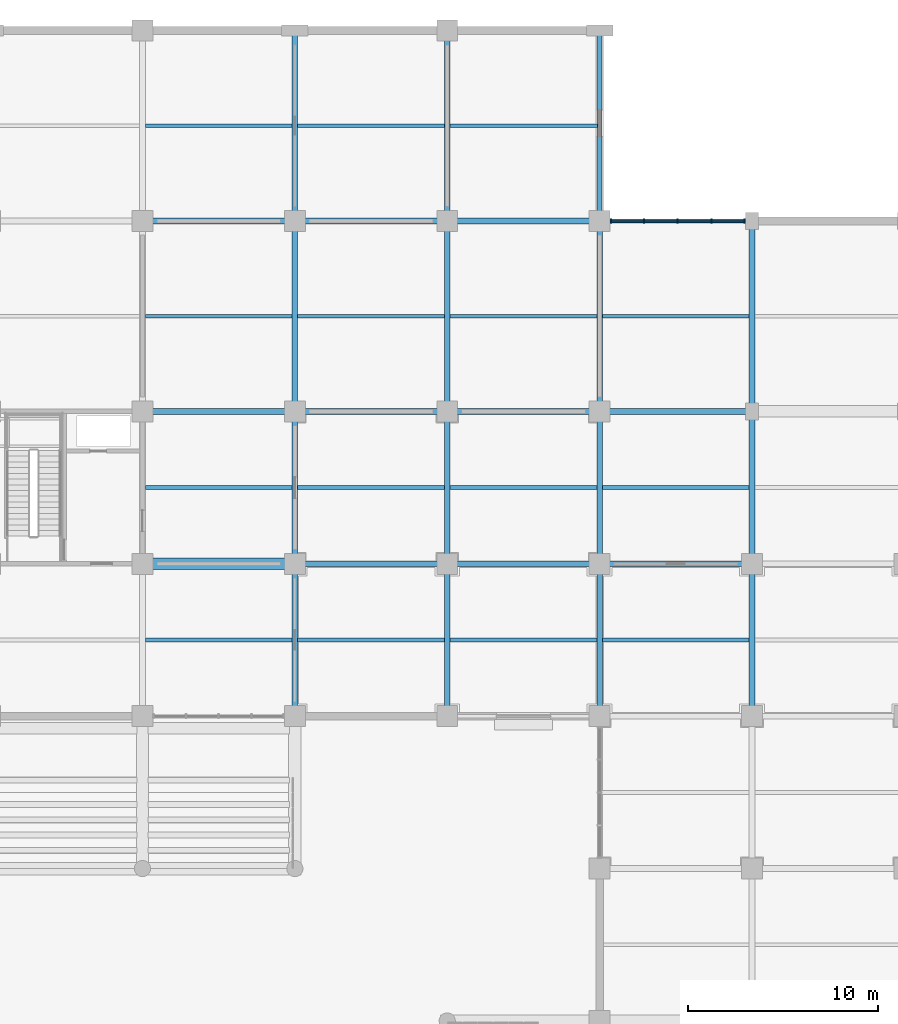
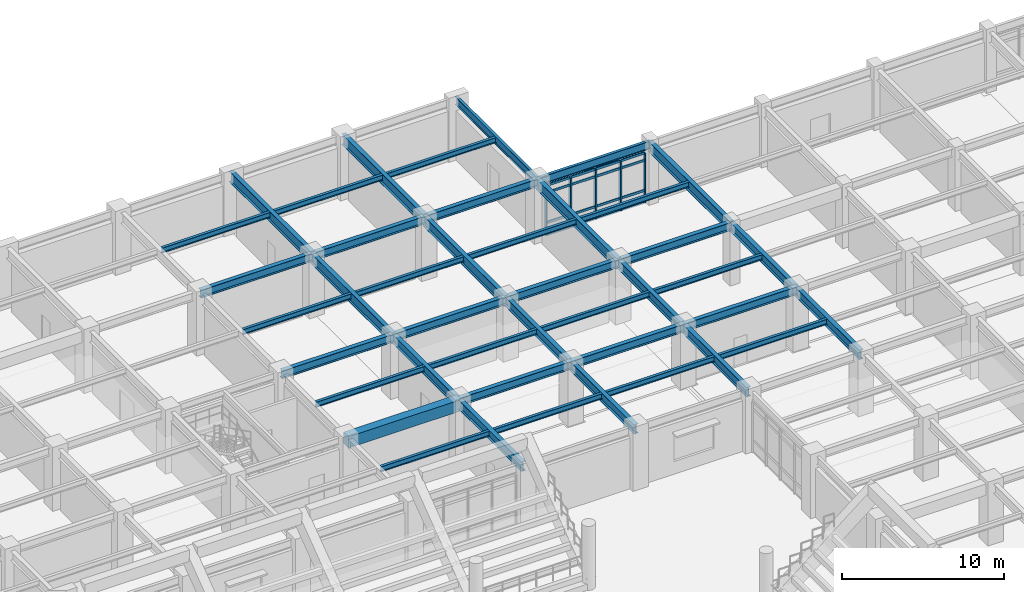
# One storey, part 50 of 125: 42 beams, 21 members, 1 element without a shape of its own.
"""IFC4 building model written with IfcOpenShell, lengths in metres."""

from ifc_helpers import new_model, si_unit, direction, frame, origin, origin_2d, place, context, subcontext, project, spatial, rectangle, i_section, extrude, material, layer, layer_set, material_profile, profile_set, type_object, element, aggregate, save


model = new_model("IFC4")

# Units and contexts
model_context = context("Model", 3, precision=1e-05, world=origin(), true_north=direction((0.0, 1.0)))
body_context = subcontext(model_context, "Body", "Model", "MODEL_VIEW")
ifc_project = project(units=[si_unit("LENGTHUNIT", "METRE"), si_unit("AREAUNIT", "SQUARE_METRE"), si_unit("VOLUMEUNIT", "CUBIC_METRE"), si_unit("PLANEANGLEUNIT", "RADIAN"), si_unit("MASSUNIT", "GRAM", prefix="KILO")], contexts=[model_context])

# Site, building, storey
site_placement = place(None, origin())
site = spatial("IfcSite", under=ifc_project, at=site_placement, CompositionType="ELEMENT")
building_placement = place(site_placement, origin())
building = spatial("IfcBuilding", under=site, at=building_placement, Name="Haebicheon Civic Stadium", CompositionType="ELEMENT")
storey_placement = place(building_placement, origin())
storey = spatial("IfcBuildingStorey", under=building, at=storey_placement, Name="L01", CompositionType="ELEMENT", Elevation=0.0)

# Beams
ifc_material_1 = material(Name="Steel SM355 (S355)", Category="steel")
ifc_material_profile_1 = material_profile(ifc_material_1, i_section(OverallWidth=0.300048828125, OverallDepth=0.60009765625, WebThickness=0.011962890625, FlangeThickness=0.02001953125, at=origin_2d()), Name="H-600x300x12x20")
ifc_profile_set_1 = profile_set([ifc_material_profile_1], Name="Steel SM355 (S355)")
beam_type_1 = type_object("IfcBeamType", Name="BM-ST-H600A", PredefinedType="BEAM", material=ifc_profile_set_1)
for number, where, z_axis, x_axis, name in (
    (1, (120.0, 168.0, 4.219970703125), (1.0, 0.0, 0.0), (0.0, 1.0, 0.0), "L01 beam X/16-17"),
    (2, (120.0, 178.0, 4.219970703125), (1.0, 0.0, 0.0), (0.0, 1.0, 0.0), "L01 beam Y/16-17"),
    (3, (128.0, 160.0, 4.219970703125), (1.0, 0.0, 0.0), (0.0, 1.0, 0.0), "L01 beam W/17-18"),
    (4, (128.0, 168.0, 4.219970703125), (1.0, 0.0, 0.0), (0.0, 1.0, 0.0), "L01 beam X/17-18"),
    (5, (128.0, 178.0, 4.219970703125), (1.0, 0.0, 0.0), (0.0, 1.0, 0.0), "L01 beam Y/17-18"),
    (6, (136.0, 160.0, 4.219970703125), (1.0, 0.0, 0.0), (0.0, 1.0, 0.0), "L01 beam W/18-19"),
    (7, (136.0, 168.0, 4.219970703125), (1.0, 0.0, 0.0), (0.0, 1.0, 0.0), "L01 beam X/18-19"),
    (8, (136.0, 178.0, 4.219970703125), (1.0, 0.0, 0.0), (0.0, 1.0, 0.0), "L01 beam Y/18-19"),
    (9, (144.0, 160.0, 4.219970703125), (1.0, 0.0, 0.0), (0.0, 1.0, 0.0), "L01 beam W/19-20"),
    (10, (144.0, 168.0, 4.219970703125), (1.0, 0.0, 0.0), (0.0, 1.0, 0.0), "L01 beam X/19-20"),
):
    element("IfcBeam", number, at=place(storey_placement, frame(where, z_axis=z_axis, x_axis=x_axis)), inside=storey, type_object=beam_type_1, material=ifc_profile_set_1, Name=name, PredefinedType="BEAM", context=body_context, shape_type="SweptSolid", body=[
        extrude(i_section(OverallWidth=0.300048828125, OverallDepth=0.60009765625, WebThickness=0.011962890625, FlangeThickness=0.02001953125, at=origin_2d()), origin(), (0.0, 0.0, 1.0), 8.0),
    ])
ifc_material_2 = material(Name="Steel SM490", Category="steel")
ifc_material_profile_2 = material_profile(ifc_material_2, i_section(OverallWidth=0.300048828125, OverallDepth=0.699951171875, WebThickness=0.012939453125, FlangeThickness=0.02392578125, at=origin_2d()), Name="H-700x300x13x24")
ifc_profile_set_2 = profile_set([ifc_material_profile_2], Name="Steel SM490")
beam_type_2 = type_object("IfcBeamType", Name="BM-ST-H700", PredefinedType="BEAM", material=ifc_profile_set_2)
for number, where, z_axis, x_axis, name in (
    (11, (128.0, 152.0, 4.169921875), (0.0, 1.0, 0.0), (-1.0, 0.0, 0.0), "L01 girder 17/V-W"),
    (12, (128.0, 160.0, 4.169921875), (0.0, 1.0, 0.0), (-1.0, 0.0, 0.0), "L01 girder 17/W-X"),
    (13, (136.0, 152.0, 4.169921875), (0.0, 1.0, 0.0), (-1.0, 0.0, 0.0), "L01 girder 18/V-W"),
    (14, (136.0, 160.0, 4.169921875), (0.0, 1.0, 0.0), (-1.0, 0.0, 0.0), "L01 girder 18/W-X"),
    (15, (144.0, 152.0, 4.169921875), (0.0, 1.0, 0.0), (-1.0, 0.0, 0.0), "L01 girder 19/V-W"),
    (16, (144.0, 160.0, 4.169921875), (0.0, 1.0, 0.0), (-1.0, 0.0, 0.0), "L01 girder 19/W-X"),
    (17, (152.0, 152.0, 4.169921875), (0.0, 1.0, 0.0), (-1.0, 0.0, 0.0), "L01 girder 20/V-W"),
    (18, (152.0, 160.0, 4.169921875), (0.0, 1.0, 0.0), (-1.0, 0.0, 0.0), "L01 girder 20/W-X"),
):
    element("IfcBeam", number, at=place(storey_placement, frame(where, z_axis=z_axis, x_axis=x_axis)), inside=storey, type_object=beam_type_2, material=ifc_profile_set_2, Name=name, PredefinedType="BEAM", context=body_context, shape_type="SweptSolid", body=[
        extrude(i_section(OverallWidth=0.300048828125, OverallDepth=0.699951171875, WebThickness=0.012939453125, FlangeThickness=0.02392578125, at=origin_2d()), origin(), (0.0, 0.0, 1.0), 8.0),
    ])
ifc_material_3 = material(Name="Steel SM490", Category="steel")
ifc_material_profile_3 = material_profile(ifc_material_3, i_section(OverallWidth=0.300048828125, OverallDepth=0.800048828125, WebThickness=0.013916015625, FlangeThickness=0.02587890625, at=origin_2d()), Name="H-800x300x14x26")
ifc_profile_set_3 = profile_set([ifc_material_profile_3], Name="Steel SM490")
beam_type_3 = type_object("IfcBeamType", Name="BM-ST-H800", PredefinedType="BEAM", material=ifc_profile_set_3)
for number, where, z_axis, x_axis, name in (
    (19, (128.0, 168.0, 4.1201171875), (0.0, 1.0, 0.0), (-1.0, 0.0, 0.0), "L01 girder 17/X-Y"),
    (20, (128.0, 178.0, 4.179931640625), (0.0, 1.0, 0.0), (-1.0, 0.0, 0.0), "L01 girder 17/Y-Z"),
    (21, (136.0, 168.0, 4.1201171875), (0.0, 1.0, 0.0), (-1.0, 0.0, 0.0), "L01 girder 18/X-Y"),
    (22, (136.0, 178.0, 4.179931640625), (0.0, 1.0, 0.0), (-1.0, 0.0, 0.0), "L01 girder 18/Y-Z"),
    (23, (144.0, 168.0, 4.1201171875), (0.0, 1.0, 0.0), (-1.0, 0.0, 0.0), "L01 girder 19/X-Y"),
    (24, (152.0, 168.0, 4.1201171875), (0.0, 1.0, 0.0), (-1.0, 0.0, 0.0), "L01 girder 20/X-Y"),
):
    element("IfcBeam", number, at=place(storey_placement, frame(where, z_axis=z_axis, x_axis=x_axis)), inside=storey, type_object=beam_type_3, material=ifc_profile_set_3, Name=name, PredefinedType="BEAM", context=body_context, shape_type="SweptSolid", body=[
        extrude(i_section(OverallWidth=0.300048828125, OverallDepth=0.800048828125, WebThickness=0.013916015625, FlangeThickness=0.02587890625, at=origin_2d()), origin(), (0.0, 0.0, 1.0), 10.0),
    ])
ifc_material_4 = material(Name="Precast concrete C40/50", Category="concrete")
ifc_material_profile_4 = material_profile(ifc_material_4, rectangle(XDim=0.60009765625, YDim=0.85009765625, at=origin_2d()), Name="PC-TB-600x850")
ifc_profile_set_4 = profile_set([ifc_material_profile_4], Name="Precast concrete C40/50")
beam_type_4 = type_object("IfcBeamType", Name="BM-TB-600x850", PredefinedType="T_BEAM", material=ifc_profile_set_4)
beam_1_placement = place(storey_placement, frame((120.0, 160.0, 4.094970703125), z_axis=(1.0, 0.0, 0.0), x_axis=(0.0, 1.0, 0.0)))
element("IfcBeam", 25, at=beam_1_placement, inside=storey, type_object=beam_type_4, material=ifc_profile_set_4, Name="L01 beam W/16-17", PredefinedType="T_BEAM", context=body_context, shape_type="SweptSolid", body=[
    extrude(rectangle(XDim=0.60009765625, YDim=0.85009765625, at=origin_2d()), origin(), (0.0, 0.0, 1.0), 8.0),
])

# Curtain wall, members
ifc_material_5 = material(Name="Anodised aluminium and laminated glass", Category="aluminium")
ifc_layer = layer(ifc_material_5, 0.179931640625, Name="Anodised aluminium and laminated glass")
ifc_layer_set = layer_set([ifc_layer], Name="Anodised aluminium and laminated glass")
curtain_wall_type = type_object("IfcCurtainWallType", Name="CW-7100x3710", PredefinedType="NOTDEFINED", material=ifc_layer_set)
curtain_wall_placement = place(storey_placement, origin())
curtain_wall = element("IfcCurtainWall", 26, at=curtain_wall_placement, inside=storey, type_object=curtain_wall_type, material=ifc_layer_set, Name="L01 unitised curtain wall 017", PredefinedType="NOTDEFINED")
ifc_material_6 = material(Name="Anodised aluminium 6063-T6", Category="aluminium")
ifc_material_profile_5 = material_profile(ifc_material_6, rectangle(XDim=0.080078125, YDim=0.239990234375, at=origin_2d()), Name="ALU-MULL-80x240")
ifc_profile_set_5 = profile_set([ifc_material_profile_5], Name="Anodised aluminium 6063-T6")
member_type_1 = type_object("IfcMemberType", Name="CWM-240x80", PredefinedType="MULLION", material=ifc_profile_set_5)
member_1_placement = place(storey_placement, frame((144.590087890625, 178.0, 0.0), z_axis=(0.0, 0.0, 1.0), x_axis=(1.0, 0.0, 0.0)))
member_1 = element("IfcMember", 27, at=member_1_placement, type_object=member_type_1, material=ifc_profile_set_5, Name="CW-L01-017 vertical mullion 1", PredefinedType="MULLION", context=body_context, shape_type="SweptSolid", body=[
    extrude(rectangle(XDim=0.080078125, YDim=0.239990234375, at=origin_2d()), origin(), (0.0, 0.0, 1.0), 3.7099609375),
])
member_2_placement = place(storey_placement, frame((146.324951171875, 178.0, 0.0), z_axis=(0.0, 0.0, 1.0), x_axis=(1.0, 0.0, 0.0)))
member_2 = element("IfcMember", 28, at=member_2_placement, type_object=member_type_1, material=ifc_profile_set_5, Name="CW-L01-017 vertical mullion 2", PredefinedType="MULLION", context=body_context, shape_type="SweptSolid", body=[
    extrude(rectangle(XDim=0.080078125, YDim=0.239990234375, at=origin_2d()), origin(), (0.0, 0.0, 1.0), 3.7099609375),
])
member_3_placement = place(storey_placement, frame((148.10009765625, 178.0, 0.0), z_axis=(0.0, 0.0, 1.0), x_axis=(1.0, 0.0, 0.0)))
member_3 = element("IfcMember", 29, at=member_3_placement, type_object=member_type_1, material=ifc_profile_set_5, Name="CW-L01-017 vertical mullion 3", PredefinedType="MULLION", context=body_context, shape_type="SweptSolid", body=[
    extrude(rectangle(XDim=0.080078125, YDim=0.239990234375, at=origin_2d()), origin(), (0.0, 0.0, 1.0), 3.7099609375),
])
member_4_placement = place(storey_placement, frame((149.875, 178.0, 0.0), z_axis=(0.0, 0.0, 1.0), x_axis=(1.0, 0.0, 0.0)))
member_4 = element("IfcMember", 30, at=member_4_placement, type_object=member_type_1, material=ifc_profile_set_5, Name="CW-L01-017 vertical mullion 4", PredefinedType="MULLION", context=body_context, shape_type="SweptSolid", body=[
    extrude(rectangle(XDim=0.080078125, YDim=0.239990234375, at=origin_2d()), origin(), (0.0, 0.0, 1.0), 3.7099609375),
])
member_5_placement = place(storey_placement, frame((151.610107421875, 178.0, 0.0), z_axis=(0.0, 0.0, 1.0), x_axis=(1.0, 0.0, 0.0)))
member_5 = element("IfcMember", 31, at=member_5_placement, type_object=member_type_1, material=ifc_profile_set_5, Name="CW-L01-017 vertical mullion 5", PredefinedType="MULLION", context=body_context, shape_type="SweptSolid", body=[
    extrude(rectangle(XDim=0.080078125, YDim=0.239990234375, at=origin_2d()), origin(), (0.0, 0.0, 1.0), 3.7099609375),
])
ifc_material_7 = material(Name="Anodised aluminium 6063-T6", Category="aluminium")
ifc_material_profile_6 = material_profile(ifc_material_7, rectangle(XDim=0.080078125, YDim=0.179931640625, at=origin_2d()), Name="ALU-TRAN-80x180")
ifc_profile_set_6 = profile_set([ifc_material_profile_6], Name="Anodised aluminium 6063-T6")
member_type_2 = type_object("IfcMemberType", Name="CWT-180x80", PredefinedType="NOTDEFINED", material=ifc_profile_set_6)
member_6_placement = place(storey_placement, frame((144.6298828125, 178.0, 0.0), z_axis=(1.0, 0.0, 0.0), x_axis=(0.0, 1.0, 0.0)))
member_6 = element("IfcMember", 32, at=member_6_placement, type_object=member_type_2, material=ifc_profile_set_6, Name="CW-L01-017 horizontal transom 1.1", ObjectType="TRANSOM", PredefinedType="USERDEFINED", context=body_context, shape_type="SweptSolid", body=[
    extrude(rectangle(XDim=0.080078125, YDim=0.179931640625, at=origin_2d()), origin(), (0.0, 0.0, 1.0), 1.655029296875),
])
member_7_placement = place(storey_placement, frame((144.6298828125, 178.0, 0.89990234375), z_axis=(1.0, 0.0, 0.0), x_axis=(0.0, 1.0, 0.0)))
member_7 = element("IfcMember", 33, at=member_7_placement, type_object=member_type_2, material=ifc_profile_set_6, Name="CW-L01-017 horizontal transom 1.2", ObjectType="TRANSOM", PredefinedType="USERDEFINED", context=body_context, shape_type="SweptSolid", body=[
    extrude(rectangle(XDim=0.080078125, YDim=0.179931640625, at=origin_2d()), origin(), (0.0, 0.0, 1.0), 1.655029296875),
])
member_8_placement = place(storey_placement, frame((144.6298828125, 178.0, 3.159912109375), z_axis=(1.0, 0.0, 0.0), x_axis=(0.0, 1.0, 0.0)))
member_8 = element("IfcMember", 34, at=member_8_placement, type_object=member_type_2, material=ifc_profile_set_6, Name="CW-L01-017 horizontal transom 1.3", ObjectType="TRANSOM", PredefinedType="USERDEFINED", context=body_context, shape_type="SweptSolid", body=[
    extrude(rectangle(XDim=0.080078125, YDim=0.179931640625, at=origin_2d()), origin(), (0.0, 0.0, 1.0), 1.655029296875),
])
member_9_placement = place(storey_placement, frame((144.6298828125, 178.0, 3.7099609375), z_axis=(1.0, 0.0, 0.0), x_axis=(0.0, 1.0, 0.0)))
member_9 = element("IfcMember", 35, at=member_9_placement, type_object=member_type_2, material=ifc_profile_set_6, Name="CW-L01-017 horizontal transom 1.4", ObjectType="TRANSOM", PredefinedType="USERDEFINED", context=body_context, shape_type="SweptSolid", body=[
    extrude(rectangle(XDim=0.080078125, YDim=0.179931640625, at=origin_2d()), origin(), (0.0, 0.0, 1.0), 1.655029296875),
])
member_10_placement = place(storey_placement, frame((146.364990234375, 178.0, 0.0), z_axis=(1.0, 0.0, 0.0), x_axis=(0.0, 1.0, 0.0)))
member_10 = element("IfcMember", 36, at=member_10_placement, type_object=member_type_2, material=ifc_profile_set_6, Name="CW-L01-017 horizontal transom 2.1", ObjectType="TRANSOM", PredefinedType="USERDEFINED", context=body_context, shape_type="SweptSolid", body=[
    extrude(rectangle(XDim=0.080078125, YDim=0.179931640625, at=origin_2d()), origin(), (0.0, 0.0, 1.0), 1.695068359375),
])
member_11_placement = place(storey_placement, frame((146.364990234375, 178.0, 0.89990234375), z_axis=(1.0, 0.0, 0.0), x_axis=(0.0, 1.0, 0.0)))
member_11 = element("IfcMember", 37, at=member_11_placement, type_object=member_type_2, material=ifc_profile_set_6, Name="CW-L01-017 horizontal transom 2.2", ObjectType="TRANSOM", PredefinedType="USERDEFINED", context=body_context, shape_type="SweptSolid", body=[
    extrude(rectangle(XDim=0.080078125, YDim=0.179931640625, at=origin_2d()), origin(), (0.0, 0.0, 1.0), 1.695068359375),
])
member_12_placement = place(storey_placement, frame((146.364990234375, 178.0, 3.159912109375), z_axis=(1.0, 0.0, 0.0), x_axis=(0.0, 1.0, 0.0)))
member_12 = element("IfcMember", 38, at=member_12_placement, type_object=member_type_2, material=ifc_profile_set_6, Name="CW-L01-017 horizontal transom 2.3", ObjectType="TRANSOM", PredefinedType="USERDEFINED", context=body_context, shape_type="SweptSolid", body=[
    extrude(rectangle(XDim=0.080078125, YDim=0.179931640625, at=origin_2d()), origin(), (0.0, 0.0, 1.0), 1.695068359375),
])
member_13_placement = place(storey_placement, frame((146.364990234375, 178.0, 3.7099609375), z_axis=(1.0, 0.0, 0.0), x_axis=(0.0, 1.0, 0.0)))
member_13 = element("IfcMember", 39, at=member_13_placement, type_object=member_type_2, material=ifc_profile_set_6, Name="CW-L01-017 horizontal transom 2.4", ObjectType="TRANSOM", PredefinedType="USERDEFINED", context=body_context, shape_type="SweptSolid", body=[
    extrude(rectangle(XDim=0.080078125, YDim=0.179931640625, at=origin_2d()), origin(), (0.0, 0.0, 1.0), 1.695068359375),
])
member_14_placement = place(storey_placement, frame((148.139892578125, 178.0, 0.0), z_axis=(1.0, 0.0, 0.0), x_axis=(0.0, 1.0, 0.0)))
member_14 = element("IfcMember", 40, at=member_14_placement, type_object=member_type_2, material=ifc_profile_set_6, Name="CW-L01-017 horizontal transom 3.1", ObjectType="TRANSOM", PredefinedType="USERDEFINED", context=body_context, shape_type="SweptSolid", body=[
    extrude(rectangle(XDim=0.080078125, YDim=0.179931640625, at=origin_2d()), origin(), (0.0, 0.0, 1.0), 1.695068359375),
])
member_15_placement = place(storey_placement, frame((148.139892578125, 178.0, 0.89990234375), z_axis=(1.0, 0.0, 0.0), x_axis=(0.0, 1.0, 0.0)))
member_15 = element("IfcMember", 41, at=member_15_placement, type_object=member_type_2, material=ifc_profile_set_6, Name="CW-L01-017 horizontal transom 3.2", ObjectType="TRANSOM", PredefinedType="USERDEFINED", context=body_context, shape_type="SweptSolid", body=[
    extrude(rectangle(XDim=0.080078125, YDim=0.179931640625, at=origin_2d()), origin(), (0.0, 0.0, 1.0), 1.695068359375),
])
member_16_placement = place(storey_placement, frame((148.139892578125, 178.0, 3.159912109375), z_axis=(1.0, 0.0, 0.0), x_axis=(0.0, 1.0, 0.0)))
member_16 = element("IfcMember", 42, at=member_16_placement, type_object=member_type_2, material=ifc_profile_set_6, Name="CW-L01-017 horizontal transom 3.3", ObjectType="TRANSOM", PredefinedType="USERDEFINED", context=body_context, shape_type="SweptSolid", body=[
    extrude(rectangle(XDim=0.080078125, YDim=0.179931640625, at=origin_2d()), origin(), (0.0, 0.0, 1.0), 1.695068359375),
])
member_17_placement = place(storey_placement, frame((148.139892578125, 178.0, 3.7099609375), z_axis=(1.0, 0.0, 0.0), x_axis=(0.0, 1.0, 0.0)))
member_17 = element("IfcMember", 43, at=member_17_placement, type_object=member_type_2, material=ifc_profile_set_6, Name="CW-L01-017 horizontal transom 3.4", ObjectType="TRANSOM", PredefinedType="USERDEFINED", context=body_context, shape_type="SweptSolid", body=[
    extrude(rectangle(XDim=0.080078125, YDim=0.179931640625, at=origin_2d()), origin(), (0.0, 0.0, 1.0), 1.695068359375),
])
member_18_placement = place(storey_placement, frame((149.9150390625, 178.0, 0.0), z_axis=(1.0, 0.0, 0.0), x_axis=(0.0, 1.0, 0.0)))
member_18 = element("IfcMember", 44, at=member_18_placement, type_object=member_type_2, material=ifc_profile_set_6, Name="CW-L01-017 horizontal transom 4.1", ObjectType="TRANSOM", PredefinedType="USERDEFINED", context=body_context, shape_type="SweptSolid", body=[
    extrude(rectangle(XDim=0.080078125, YDim=0.179931640625, at=origin_2d()), origin(), (0.0, 0.0, 1.0), 1.655029296875),
])
member_19_placement = place(storey_placement, frame((149.9150390625, 178.0, 0.89990234375), z_axis=(1.0, 0.0, 0.0), x_axis=(0.0, 1.0, 0.0)))
member_19 = element("IfcMember", 45, at=member_19_placement, type_object=member_type_2, material=ifc_profile_set_6, Name="CW-L01-017 horizontal transom 4.2", ObjectType="TRANSOM", PredefinedType="USERDEFINED", context=body_context, shape_type="SweptSolid", body=[
    extrude(rectangle(XDim=0.080078125, YDim=0.179931640625, at=origin_2d()), origin(), (0.0, 0.0, 1.0), 1.655029296875),
])
member_20_placement = place(storey_placement, frame((149.9150390625, 178.0, 3.159912109375), z_axis=(1.0, 0.0, 0.0), x_axis=(0.0, 1.0, 0.0)))
member_20 = element("IfcMember", 46, at=member_20_placement, type_object=member_type_2, material=ifc_profile_set_6, Name="CW-L01-017 horizontal transom 4.3", ObjectType="TRANSOM", PredefinedType="USERDEFINED", context=body_context, shape_type="SweptSolid", body=[
    extrude(rectangle(XDim=0.080078125, YDim=0.179931640625, at=origin_2d()), origin(), (0.0, 0.0, 1.0), 1.655029296875),
])
member_21_placement = place(storey_placement, frame((149.9150390625, 178.0, 3.7099609375), z_axis=(1.0, 0.0, 0.0), x_axis=(0.0, 1.0, 0.0)))
member_21 = element("IfcMember", 47, at=member_21_placement, type_object=member_type_2, material=ifc_profile_set_6, Name="CW-L01-017 horizontal transom 4.4", ObjectType="TRANSOM", PredefinedType="USERDEFINED", context=body_context, shape_type="SweptSolid", body=[
    extrude(rectangle(XDim=0.080078125, YDim=0.179931640625, at=origin_2d()), origin(), (0.0, 0.0, 1.0), 1.655029296875),
])
aggregate(curtain_wall, [member_1, member_2, member_3, member_4, member_5, member_6, member_7, member_8, member_9, member_10, member_11, member_12, member_13, member_14, member_15, member_16, member_17, member_18, member_19, member_20, member_21])

# Beams
ifc_material_8 = material(Name="Steel SM355 (S355)", Category="steel")
ifc_material_profile_7 = material_profile(ifc_material_8, i_section(OverallWidth=0.199951171875, OverallDepth=0.39990234375, WebThickness=0.008056640625, FlangeThickness=0.012939453125, at=origin_2d()), Name="H-400x200x8x13")
ifc_profile_set_7 = profile_set([ifc_material_profile_7], Name="Steel SM355 (S355)")
beam_type_5 = type_object("IfcBeamType", Name="JST-ST-H400", PredefinedType="JOIST", material=ifc_profile_set_7)
for number, where, z_axis, x_axis, name in (
    (48, (120.14990234375, 156.0, 4.320068359375), (1.0, 0.0, 0.0), (0.0, 1.0, 0.0), "L01 secondary joist 15-19"),
    (49, (120.14990234375, 164.0, 4.320068359375), (1.0, 0.0, 0.0), (0.0, 1.0, 0.0), "L01 secondary joist 15-20"),
    (50, (120.14990234375, 173.0, 4.320068359375), (1.0, 0.0, 0.0), (0.0, 1.0, 0.0), "L01 secondary joist 15-21"),
    (51, (120.14990234375, 183.0, 4.3798828125), (1.0, 0.0, 0.0), (0.0, 1.0, 0.0), "L01 secondary joist 15-22"),
    (52, (128.14990234375, 156.0, 4.320068359375), (1.0, 0.0, 0.0), (0.0, 1.0, 0.0), "L01 secondary joist 16-19"),
    (53, (128.14990234375, 164.0, 4.320068359375), (1.0, 0.0, 0.0), (0.0, 1.0, 0.0), "L01 secondary joist 16-20"),
    (54, (128.14990234375, 173.0, 4.320068359375), (1.0, 0.0, 0.0), (0.0, 1.0, 0.0), "L01 secondary joist 16-21"),
    (55, (128.14990234375, 183.0, 4.3798828125), (1.0, 0.0, 0.0), (0.0, 1.0, 0.0), "L01 secondary joist 16-22"),
    (56, (136.14990234375, 156.0, 4.320068359375), (1.0, 0.0, 0.0), (0.0, 1.0, 0.0), "L01 secondary joist 17-19"),
    (57, (136.14990234375, 164.0, 4.320068359375), (1.0, 0.0, 0.0), (0.0, 1.0, 0.0), "L01 secondary joist 17-20"),
    (58, (136.14990234375, 173.0, 4.320068359375), (1.0, 0.0, 0.0), (0.0, 1.0, 0.0), "L01 secondary joist 17-21"),
):
    element("IfcBeam", number, at=place(storey_placement, frame(where, z_axis=z_axis, x_axis=x_axis)), inside=storey, type_object=beam_type_5, material=ifc_profile_set_7, Name=name, PredefinedType="JOIST", context=body_context, shape_type="SweptSolid", body=[
        extrude(i_section(OverallWidth=0.199951171875, OverallDepth=0.39990234375, WebThickness=0.008056640625, FlangeThickness=0.012939453125, at=origin_2d()), origin(), (0.0, 0.0, 1.0), 7.7001953125),
    ])
beam_2_placement = place(storey_placement, frame((136.14990234375, 183.0, 4.3798828125), z_axis=(1.0, 0.0, 0.0), x_axis=(0.0, 1.0, 0.0)))
element("IfcBeam", 59, at=beam_2_placement, inside=storey, type_object=beam_type_5, material=ifc_profile_set_7, Name="L01 secondary joist 17-22", PredefinedType="JOIST", context=body_context, shape_type="SweptSolid", body=[
    extrude(i_section(OverallWidth=0.199951171875, OverallDepth=0.39990234375, WebThickness=0.008056640625, FlangeThickness=0.012939453125, at=origin_2d()), origin(), (0.0, 0.0, 1.0), 7.75),
])
for number, where, z_axis, x_axis, name in (
    (60, (144.14990234375, 156.0, 4.320068359375), (1.0, 0.0, 0.0), (0.0, 1.0, 0.0), "L01 secondary joist 18-19"),
    (61, (144.14990234375, 164.0, 4.320068359375), (1.0, 0.0, 0.0), (0.0, 1.0, 0.0), "L01 secondary joist 18-20"),
    (62, (144.14990234375, 173.0, 4.320068359375), (1.0, 0.0, 0.0), (0.0, 1.0, 0.0), "L01 secondary joist 18-21"),
):
    element("IfcBeam", number, at=place(storey_placement, frame(where, z_axis=z_axis, x_axis=x_axis)), inside=storey, type_object=beam_type_5, material=ifc_profile_set_7, Name=name, PredefinedType="JOIST", context=body_context, shape_type="SweptSolid", body=[
        extrude(i_section(OverallWidth=0.199951171875, OverallDepth=0.39990234375, WebThickness=0.008056640625, FlangeThickness=0.012939453125, at=origin_2d()), origin(), (0.0, 0.0, 1.0), 7.7001953125),
    ])
ifc_material_9 = material(Name="Steel SM355 (S355)", Category="steel")
ifc_material_profile_8 = material_profile(ifc_material_9, i_section(OverallWidth=0.199951171875, OverallDepth=0.60009765625, WebThickness=0.010986328125, FlangeThickness=0.01708984375, at=origin_2d()), Name="H-600x200x11x17")
ifc_profile_set_8 = profile_set([ifc_material_profile_8], Name="Steel SM355 (S355)")
beam_type_6 = type_object("IfcBeamType", Name="SPD-ST-H600B", PredefinedType="SPANDREL", material=ifc_profile_set_8)
beam_3_placement = place(storey_placement, frame((144.0, 178.0, 4.280029296875), z_axis=(0.0, 1.0, 0.0), x_axis=(-1.0, 0.0, 0.0)))
element("IfcBeam", 63, at=beam_3_placement, inside=storey, type_object=beam_type_6, material=ifc_profile_set_8, Name="L01 girder 19/Y-Z", PredefinedType="SPANDREL", context=body_context, shape_type="SweptSolid", body=[
    extrude(i_section(OverallWidth=0.199951171875, OverallDepth=0.60009765625, WebThickness=0.010986328125, FlangeThickness=0.01708984375, at=origin_2d()), origin(), (0.0, 0.0, 1.0), 10.0),
])
beam_4_placement = place(storey_placement, frame((144.0, 178.0, 4.219970703125), z_axis=(1.0, 0.0, 0.0), x_axis=(0.0, 1.0, 0.0)))
element("IfcBeam", 64, at=beam_4_placement, inside=storey, type_object=beam_type_6, material=ifc_profile_set_8, Name="L01 beam Y/19-20", PredefinedType="SPANDREL", context=body_context, shape_type="SweptSolid", body=[
    extrude(i_section(OverallWidth=0.199951171875, OverallDepth=0.60009765625, WebThickness=0.010986328125, FlangeThickness=0.01708984375, at=origin_2d()), origin(), (0.0, 0.0, 1.0), 8.0),
])

save(model, "model.ifc")
